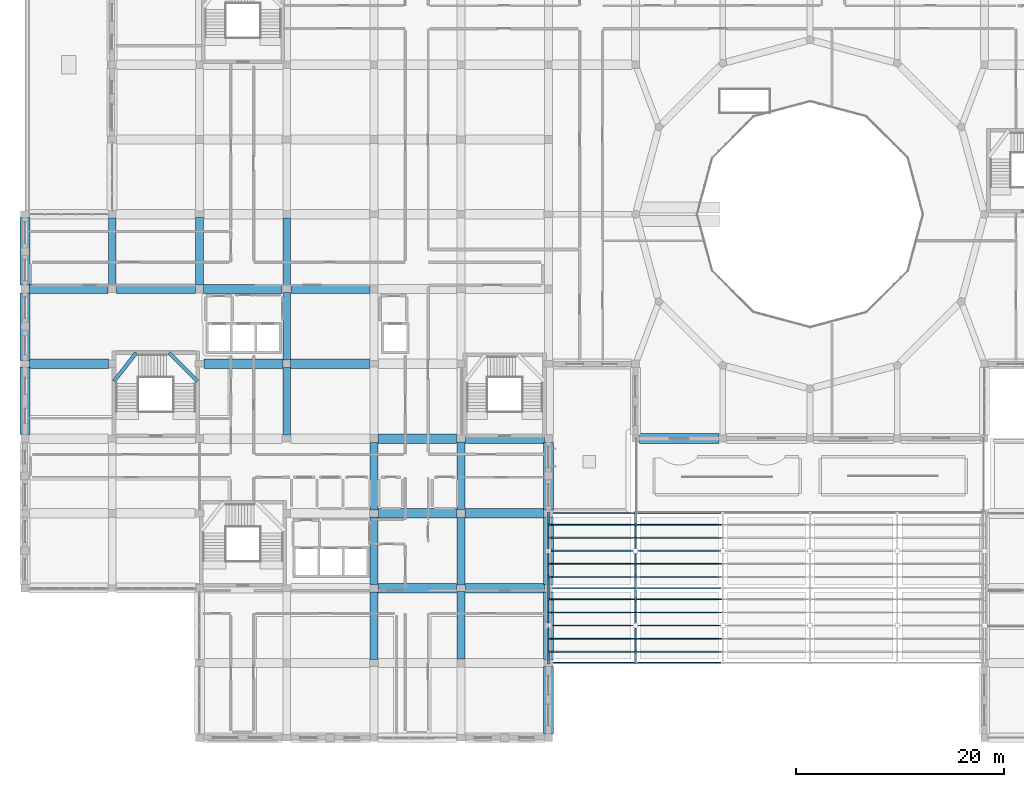
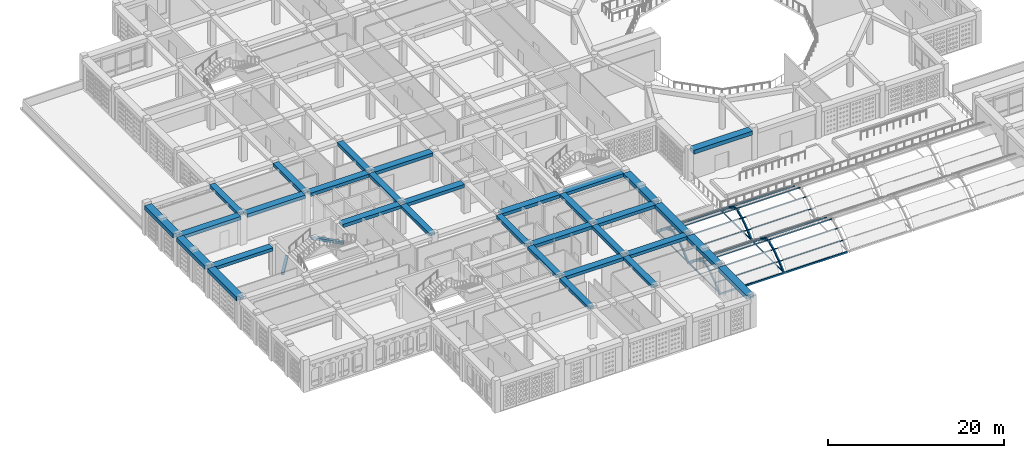
# One storey, part 8 of 100: 64 beams, 24 members.
"""IFC4 building model written with IfcOpenShell, lengths in metres."""

import ifcopenshell
import ifcopenshell.guid

model = None  # the IFC model being written
_history = None  # IfcOwnerHistory: only IFC2X3 demands one
_inside = {}  # id of a spatial element -> (the spatial element, [elements in it])
_under = {}  # id of a project, library or spatial element -> (it, [spatial elements below it])
_declared = {}  # id of a project -> (the project, [libraries it declares])
_typed = {}  # id of a type object -> (the type object, [elements of that type])
_made_of = {}  # id of a material, layer set ... -> (it, [elements and type objects made of it])


def new_model(schema):
    """Start an empty IFC model of exactly this schema.

    Asked for "IFC4X3", IfcOpenShell would pick the latest addendum, in which some entities
    have other attributes; the version numbers below select the first issue.
    IFC2X3 requires an IfcOwnerHistory on every rooted entity: one is made here for all.
    """
    global model, _history
    if schema == "IFC4X3":
        model = ifcopenshell.file(schema_version=(4, 3, 0, 0))
    else:
        model = ifcopenshell.file(schema=schema)
    _inside.clear()
    _under.clear()
    _declared.clear()
    _typed.clear()
    _made_of.clear()
    _history = None
    if model.schema == "IFC2X3":
        org = make("IfcOrganization", Name="unknown")
        user = make(
            "IfcPersonAndOrganization",
            ThePerson=make("IfcPerson", FamilyName="unknown"),
            TheOrganization=org,
        )
        app = make(
            "IfcApplication",
            ApplicationDeveloper=org,
            Version="unknown",
            ApplicationFullName="unknown",
            ApplicationIdentifier="unknown",
        )
        _history = make(
            "IfcOwnerHistory",
            OwningUser=user,
            OwningApplication=app,
            ChangeAction="ADDED",
            CreationDate=0,
        )
    return model


def make(cls, **values):
    """One entity of the class cls with the attributes given. An attribute that is None is left unset."""
    return model.create_entity(
        cls, **{name: value for name, value in values.items() if value is not None}
    )


def rooted(cls, **values):
    """An entity with a GlobalId (a new one), such as an element, a storey or a relation."""
    return make(cls, GlobalId=ifcopenshell.guid.new(), OwnerHistory=_history, **values)


def si_unit(unit_type, name, prefix=None):
    """IfcSIUnit, for example si_unit("LENGTHUNIT", "METRE", prefix="MILLI")."""
    return make("IfcSIUnit", UnitType=unit_type, Prefix=prefix, Name=name)


def derived_unit(unit_type, elements):
    """IfcDerivedUnit: a product of units, each with its exponent."""
    return make(
        "IfcDerivedUnit",
        Elements=[
            make("IfcDerivedUnitElement", Unit=unit, Exponent=power)
            for unit, power in elements
        ],
        UnitType=unit_type,
    )


def assignment(units):
    """IfcUnitAssignment: the units of a project."""
    return None if units is None else make("IfcUnitAssignment", Units=units)


def point(xyz):
    """IfcCartesianPoint."""
    return None if xyz is None else make("IfcCartesianPoint", Coordinates=xyz)


def direction(xyz):
    """IfcDirection."""
    return None if xyz is None else make("IfcDirection", DirectionRatios=xyz)


def frame(location, z_axis=None, x_axis=None):
    """IfcAxis2Placement3D, a coordinate frame: its origin and axes. An axis left out is left unset."""
    return make(
        "IfcAxis2Placement3D",
        Location=point(location),
        Axis=direction(z_axis),
        RefDirection=direction(x_axis),
    )


def frame_2d(location, x_axis=None):
    """IfcAxis2Placement2D, a coordinate frame in the plane: its origin and x axis."""
    return make(
        "IfcAxis2Placement2D", Location=point(location), RefDirection=direction(x_axis)
    )


def origin():
    """The frame at (0, 0, 0) with its axes left unset."""
    return frame((0.0, 0.0, 0.0))


def origin_2d():
    """The frame at (0, 0) in the plane with its x axis left unset."""
    return frame_2d((0.0, 0.0))


def place(relative_to, where):
    """IfcLocalPlacement: puts the frame where relative to a parent placement (None: the world)."""
    return make(
        "IfcLocalPlacement", PlacementRelTo=relative_to, RelativePlacement=where
    )


def context(
    kind, dimensions, precision=None, world=None, true_north=None, identifier=None
):
    """IfcGeometricRepresentationContext, for example the 3D "Model" context."""
    return make(
        "IfcGeometricRepresentationContext",
        ContextIdentifier=identifier,
        ContextType=kind,
        CoordinateSpaceDimension=dimensions,
        Precision=precision,
        WorldCoordinateSystem=world,
        TrueNorth=true_north,
    )


def subcontext(parent, identifier, kind, view, scale=None):
    """IfcGeometricRepresentationSubContext, for example "Body" below "Model"."""
    return make(
        "IfcGeometricRepresentationSubContext",
        ContextIdentifier=identifier,
        ContextType=kind,
        ParentContext=parent,
        TargetScale=scale,
        TargetView=view,
    )


def project(units=None, contexts=None):
    """IfcProject with its units and contexts."""
    return rooted(
        "IfcProject",
        Name="project",
        RepresentationContexts=contexts,
        UnitsInContext=assignment(units),
    )


def spatial(cls, under=None, at=None, **own):
    """A site, building, storey or space (cls), placed at a placement, below another one or the project."""
    s = rooted(cls, ObjectPlacement=at, **own)
    if under is not None:
        _under.setdefault(under.id(), (under, []))[1].append(s)
    return s


def profile(cls, at=None, kind="AREA", **sizes):
    """A parametric profile (cls). Its sizes go by their IFC names, for example OverallWidth=200.0."""
    return make(cls, ProfileType=kind, Position=at, **sizes)


def rectangle(**sizes):
    """IfcRectangleProfileDef."""
    return profile("IfcRectangleProfileDef", **sizes)


def hollow_rectangle(**sizes):
    """IfcRectangleHollowProfileDef."""
    return profile("IfcRectangleHollowProfileDef", **sizes)


def hollow_circle(**sizes):
    """IfcCircleHollowProfileDef."""
    return profile("IfcCircleHollowProfileDef", **sizes)


def i_section(**sizes):
    """IfcIShapeProfileDef."""
    return profile("IfcIShapeProfileDef", **sizes)


def extrude(swept, where, along, depth):
    """IfcExtrudedAreaSolid: the profile swept, set in the frame where, extruded along a direction by depth."""
    return make(
        "IfcExtrudedAreaSolid",
        SweptArea=swept,
        Position=where,
        ExtrudedDirection=direction(along),
        Depth=depth,
    )


def shape(context_of_items, identifier, shape_type, items):
    """IfcShapeRepresentation: the items that make up one representation, for example the "Body"."""
    return make(
        "IfcShapeRepresentation",
        ContextOfItems=context_of_items,
        RepresentationIdentifier=identifier,
        RepresentationType=shape_type,
        Items=items,
    )


def material(Name=None, Category=None):
    """IfcMaterial."""
    return make("IfcMaterial", Name=Name, Category=Category)


def material_profile(
    of_material, cross_section, Name=None, Category=None, Priority=None
):
    """IfcMaterialProfile: a cross section and its material."""
    return make(
        "IfcMaterialProfile",
        Name=Name,
        Material=of_material,
        Profile=cross_section,
        Priority=Priority,
        Category=Category,
    )


def profile_set(profiles, Name=None, composite=None):
    """IfcMaterialProfileSet."""
    return make(
        "IfcMaterialProfileSet",
        Name=Name,
        MaterialProfiles=profiles,
        CompositeProfile=composite,
    )


def made_of(thing, what):
    """Note that an element or type object is made of a material, layer set ...; save() writes the relation."""
    if what is not None:
        _made_of.setdefault(what.id(), (what, []))[1].append(thing)
    return thing


def type_object(cls, material=None, **own):
    """A type object (cls), such as IfcWallType, which elements share."""
    return made_of(rooted(cls, **own), material)


def element(
    cls,
    number,
    at=None,
    inside=None,
    cuts=None,
    type_object=None,
    material=None,
    context=None,
    identifier="Body",
    shape_type=None,
    held_by="IfcProductDefinitionShape",
    body=None,
    shapes=None,
    **own,
):
    """One element of the class cls, such as IfcWall. Its Tag is "e" and its number.

    at: its placement. inside: the storey or other place that contains it. cuts: it is an
    opening in that element (IfcRelVoidsElement). A single representation is given by context,
    identifier, shape_type and body (its items); several are given by shapes. held_by: the class
    of the entity that holds the representations. save() writes the other relations.
    """
    e = rooted(cls, Tag="e%d" % number, ObjectPlacement=at, **own)
    if body is not None:
        shapes = [shape(context, identifier, shape_type, body)]
    if shapes is not None:
        e.Representation = make(held_by, Representations=shapes)
    if inside is not None:
        _inside.setdefault(inside.id(), (inside, []))[1].append(e)
    if cuts is not None:
        rooted(
            "IfcRelVoidsElement", RelatingBuildingElement=cuts, RelatedOpeningElement=e
        )
    if type_object is not None:
        _typed.setdefault(type_object.id(), (type_object, []))[1].append(e)
    return made_of(e, material)


def aggregate(whole, parts):
    """IfcRelAggregates: a whole, such as a stair, and the parts it consists of."""
    return rooted("IfcRelAggregates", RelatingObject=whole, RelatedObjects=parts)


def save(model, path):
    """Write the relations noted so far, then the file.

    IfcRelAggregates (storeys below a building ...), IfcRelContainedInSpatialStructure (elements
    in a storey), IfcRelDefinesByType, IfcRelAssociatesMaterial and IfcRelDeclares: one each for
    every whole, place, type object, material and project.
    """
    for whole, parts in _under.values():
        aggregate(whole, parts)
    for where, things in _inside.values():
        rooted(
            "IfcRelContainedInSpatialStructure",
            RelatedElements=things,
            RelatingStructure=where,
        )
    for kind, things in _typed.values():
        rooted("IfcRelDefinesByType", RelatedObjects=things, RelatingType=kind)
    for what, things in _made_of.values():
        rooted("IfcRelAssociatesMaterial", RelatedObjects=things, RelatingMaterial=what)
    for by, libraries in _declared.values():
        rooted("IfcRelDeclares", RelatingContext=by, RelatedDefinitions=libraries)
    model.write(path)


model = new_model("IFC4")

# Units and contexts
model_context = context("Model", 3, precision=1e-05, world=origin(), true_north=direction((0.0, 1.0)))
body_context = subcontext(model_context, "Body", "Model", "MODEL_VIEW")
ifc_project = project(units=[si_unit("LENGTHUNIT", "METRE"), si_unit("AREAUNIT", "SQUARE_METRE"), si_unit("VOLUMEUNIT", "CUBIC_METRE"), si_unit("PLANEANGLEUNIT", "RADIAN"), si_unit("MASSUNIT", "GRAM", prefix="KILO"), derived_unit("THERMALTRANSMITTANCEUNIT", [(si_unit("POWERUNIT", "WATT"), 1), (si_unit("LENGTHUNIT", "METRE"), -2), (si_unit("THERMODYNAMICTEMPERATUREUNIT", "KELVIN"), -1)])], contexts=[model_context])

# Site, building, storey
site_placement = place(None, origin())
site = spatial("IfcSite", under=ifc_project, at=site_placement, CompositionType="ELEMENT")
building_placement = place(site_placement, origin())
building = spatial("IfcBuilding", under=site, at=building_placement, Name="Veybourne Emporium", CompositionType="ELEMENT")
storey_placement = place(building_placement, frame((0.0, 0.0, 14.39990234375)))
storey = spatial("IfcBuildingStorey", under=building, at=storey_placement, Name="L03", CompositionType="ELEMENT", Elevation=14.39990234375)

# Beams
ifc_material_1 = material(Name="Concrete C32/40", Category="concrete")
ifc_material_profile_1 = material_profile(ifc_material_1, rectangle(XDim=0.35009765625, YDim=0.35009765625, at=origin_2d()), Name="RC 350x350")
ifc_profile_set_1 = profile_set([ifc_material_profile_1], Name="Concrete C32/40")
beam_type_1 = type_object("IfcBeamType", Name="LandingBeam_LB-01", PredefinedType="BEAM", material=ifc_profile_set_1)
beam_1_placement = place(storey_placement, frame((8.574951171875, 34.320068359375, 1.125), z_axis=(0.616136975881, 0.787639020714, 0.0), x_axis=(-0.787639020714, 0.616136975881, 0.0)))
element("IfcBeam", 1, at=beam_1_placement, inside=storey, type_object=beam_type_1, Name="L03 ST-02 landing 1 support beam", PredefinedType="BEAM", context=body_context, shape_type="SweptSolid", body=[
    extrude(rectangle(XDim=0.35009765625, YDim=0.35009765625, at=origin_2d()), origin(), (0.0, 0.0, 1.0), 3.49755859375),
])
beam_2_placement = place(storey_placement, frame((13.8701171875, 37.074951171875, 2.625), z_axis=(0.707106781187, -0.707106781187, 0.0), x_axis=(0.707106781187, 0.707106781187, 0.0)))
element("IfcBeam", 2, at=beam_2_placement, inside=storey, type_object=beam_type_1, Name="L03 ST-02 landing 2 support beam", PredefinedType="BEAM", context=body_context, shape_type="SweptSolid", body=[
    extrude(rectangle(XDim=0.35009765625, YDim=0.35009765625, at=origin_2d()), origin(), (0.0, 0.0, 1.0), 3.89599609375),
])
ifc_material_profile_2 = material_profile(ifc_material_1, rectangle(XDim=0.89990234375, YDim=0.449951171875, at=origin_2d()), Name="RC 900x450")
ifc_profile_set_2 = profile_set([ifc_material_profile_2], Name="Concrete C32/40")
beam_type_2 = type_object("IfcBeamType", Name="RCBeam_BB-03", PredefinedType="BEAM", material=ifc_profile_set_2)
beam_3_placement = place(storey_placement, frame((0.425048828125, 36.0, 3.955078125), z_axis=(1.0, 0.0, 0.0), x_axis=(0.0, 1.0, 0.0)))
element("IfcBeam", 3, at=beam_3_placement, inside=storey, type_object=beam_type_2, Name="L03 X-grid beam BB-03 (0,5)", PredefinedType="BEAM", context=body_context, shape_type="SweptSolid", body=[
    extrude(rectangle(XDim=0.89990234375, YDim=0.449951171875, at=origin_2d()), origin(), (0.0, 0.0, 1.0), 7.599853515625),
])
for number, where, z_axis, x_axis, name in (
    (4, (0.375, 43.199951171875, 3.955078125), (1.0, 0.0, 0.0), (0.0, 1.0, 0.0), "L03 X-grid beam BB-03 (0,6)"),
    (5, (8.824951171875, 43.199951171875, 3.955078125), (1.0, 0.0, 0.0), (0.0, 1.0, 0.0), "L03 X-grid beam BB-03 (1,6)"),
):
    element("IfcBeam", number, at=place(storey_placement, frame(where, z_axis=z_axis, x_axis=x_axis)), inside=storey, type_object=beam_type_2, Name=name, PredefinedType="BEAM", context=body_context, shape_type="SweptSolid", body=[
        extrude(rectangle(XDim=0.89990234375, YDim=0.449951171875, at=origin_2d()), origin(), (0.0, 0.0, 1.0), 7.60009765625),
    ])
for number, where, z_axis, x_axis, name in (
    (6, (17.22509765625, 36.0, 3.955078125), (1.0, 0.0, 0.0), (0.0, 1.0, 0.0), "L03 X-grid beam BB-03 (2,5)"),
    (7, (17.175048828125, 43.199951171875, 3.955078125), (1.0, 0.0, 0.0), (0.0, 1.0, 0.0), "L03 X-grid beam BB-03 (2,6)"),
):
    element("IfcBeam", number, at=place(storey_placement, frame(where, z_axis=z_axis, x_axis=x_axis)), inside=storey, type_object=beam_type_2, Name=name, PredefinedType="BEAM", context=body_context, shape_type="SweptSolid", body=[
        extrude(rectangle(XDim=0.89990234375, YDim=0.449951171875, at=origin_2d()), origin(), (0.0, 0.0, 1.0), 7.599853515625),
    ])
for number, where, z_axis, x_axis, name in (
    (8, (25.574951171875, 36.0, 3.955078125), (1.0, 0.0, 0.0), (0.0, 1.0, 0.0), "L03 X-grid beam BB-03 (3,5)"),
    (9, (25.625, 43.199951171875, 3.955078125), (1.0, 0.0, 0.0), (0.0, 1.0, 0.0), "L03 X-grid beam BB-03 (3,6)"),
):
    element("IfcBeam", number, at=place(storey_placement, frame(where, z_axis=z_axis, x_axis=x_axis)), inside=storey, type_object=beam_type_2, Name=name, PredefinedType="BEAM", context=body_context, shape_type="SweptSolid", body=[
        extrude(rectangle(XDim=0.89990234375, YDim=0.449951171875, at=origin_2d()), origin(), (0.0, 0.0, 1.0), 7.60009765625),
    ])
beam_4_placement = place(storey_placement, frame((33.97509765625, 14.39990234375, 3.955078125), z_axis=(1.0, 0.0, 0.0), x_axis=(0.0, 1.0, 0.0)))
element("IfcBeam", 10, at=beam_4_placement, inside=storey, type_object=beam_type_2, Name="L03 X-grid beam BB-03 (4,2)", PredefinedType="BEAM", context=body_context, shape_type="SweptSolid", body=[
    extrude(rectangle(XDim=0.89990234375, YDim=0.449951171875, at=origin_2d()), origin(), (0.0, 0.0, 1.0), 7.599853515625),
])
beam_5_placement = place(storey_placement, frame((34.02490234375, 21.60009765625, 3.955078125), z_axis=(1.0, 0.0, 0.0), x_axis=(0.0, 1.0, 0.0)))
element("IfcBeam", 11, at=beam_5_placement, inside=storey, type_object=beam_type_2, Name="L03 X-grid beam BB-03 (4,3)", PredefinedType="BEAM", context=body_context, shape_type="SweptSolid", body=[
    extrude(rectangle(XDim=0.89990234375, YDim=0.449951171875, at=origin_2d()), origin(), (0.0, 0.0, 1.0), 7.60009765625),
])
for number, where, z_axis, x_axis, name in (
    (12, (33.97509765625, 28.800048828125, 3.955078125), (1.0, 0.0, 0.0), (0.0, 1.0, 0.0), "L03 X-grid beam BB-03 (4,4)"),
    (13, (42.425048828125, 14.39990234375, 3.955078125), (1.0, 0.0, 0.0), (0.0, 1.0, 0.0), "L03 X-grid beam BB-03 (5,2)"),
):
    element("IfcBeam", number, at=place(storey_placement, frame(where, z_axis=z_axis, x_axis=x_axis)), inside=storey, type_object=beam_type_2, Name=name, PredefinedType="BEAM", context=body_context, shape_type="SweptSolid", body=[
        extrude(rectangle(XDim=0.89990234375, YDim=0.449951171875, at=origin_2d()), origin(), (0.0, 0.0, 1.0), 7.599853515625),
    ])
beam_6_placement = place(storey_placement, frame((42.375, 21.60009765625, 3.955078125), z_axis=(1.0, 0.0, 0.0), x_axis=(0.0, 1.0, 0.0)))
element("IfcBeam", 14, at=beam_6_placement, inside=storey, type_object=beam_type_2, Name="L03 X-grid beam BB-03 (5,3)", PredefinedType="BEAM", context=body_context, shape_type="SweptSolid", body=[
    extrude(rectangle(XDim=0.89990234375, YDim=0.449951171875, at=origin_2d()), origin(), (0.0, 0.0, 1.0), 7.60009765625),
])
beam_7_placement = place(storey_placement, frame((42.425048828125, 28.800048828125, 3.955078125), z_axis=(1.0, 0.0, 0.0), x_axis=(0.0, 1.0, 0.0)))
element("IfcBeam", 15, at=beam_7_placement, inside=storey, type_object=beam_type_2, Name="L03 X-grid beam BB-03 (5,4)", PredefinedType="BEAM", context=body_context, shape_type="SweptSolid", body=[
    extrude(rectangle(XDim=0.89990234375, YDim=0.449951171875, at=origin_2d()), origin(), (0.0, 0.0, 1.0), 7.599853515625),
])
ifc_material_profile_3 = material_profile(ifc_material_1, rectangle(XDim=0.75, YDim=0.449951171875, at=origin_2d()), Name="RC 750x450")
ifc_profile_set_3 = profile_set([ifc_material_profile_3], Name="Concrete C32/40")
beam_type_3 = type_object("IfcBeamType", Name="RCBeam_BB-04", PredefinedType="BEAM", material=ifc_profile_set_3)
for number, where, z_axis, x_axis, name in (
    (16, (8.39990234375, 43.52490234375, 3.955078125), (0.0, 1.0, 0.0), (-1.0, 0.0, 0.0), "L03 Y-grid beam BB-04 (1,6)"),
    (17, (16.800048828125, 43.574951171875, 3.955078125), (0.0, 1.0, 0.0), (-1.0, 0.0, 0.0), "L03 Y-grid beam BB-04 (2,6)"),
    (18, (25.199951171875, 29.125, 3.955078125), (0.0, 1.0, 0.0), (-1.0, 0.0, 0.0), "L03 Y-grid beam BB-04 (3,4)"),
    (19, (25.199951171875, 36.375, 3.955078125), (0.0, 1.0, 0.0), (-1.0, 0.0, 0.0), "L03 Y-grid beam BB-04 (3,5)"),
    (20, (25.199951171875, 43.52490234375, 3.955078125), (0.0, 1.0, 0.0), (-1.0, 0.0, 0.0), "L03 Y-grid beam BB-04 (3,6)"),
    (21, (33.60009765625, 7.52490234375, 3.955078125), (0.0, 1.0, 0.0), (-1.0, 0.0, 0.0), "L03 Y-grid beam BB-04 (4,1)"),
    (22, (33.60009765625, 14.77490234375, 3.955078125), (0.0, 1.0, 0.0), (-1.0, 0.0, 0.0), "L03 Y-grid beam BB-04 (4,2)"),
    (23, (33.60009765625, 21.925048828125, 3.955078125), (0.0, 1.0, 0.0), (-1.0, 0.0, 0.0), "L03 Y-grid beam BB-04 (4,3)"),
    (24, (42.0, 7.574951171875, 3.955078125), (0.0, 1.0, 0.0), (-1.0, 0.0, 0.0), "L03 Y-grid beam BB-04 (5,1)"),
    (25, (42.0, 14.72509765625, 3.955078125), (0.0, 1.0, 0.0), (-1.0, 0.0, 0.0), "L03 Y-grid beam BB-04 (5,2)"),
    (26, (42.0, 21.97509765625, 3.955078125), (0.0, 1.0, 0.0), (-1.0, 0.0, 0.0), "L03 Y-grid beam BB-04 (5,3)"),
):
    element("IfcBeam", number, at=place(storey_placement, frame(where, z_axis=z_axis, x_axis=x_axis)), inside=storey, type_object=beam_type_3, Name=name, PredefinedType="BEAM", context=body_context, shape_type="SweptSolid", body=[
        extrude(rectangle(XDim=0.75, YDim=0.449951171875, at=origin_2d()), origin(), (0.0, 0.0, 1.0), 6.5),
    ])
ifc_material_profile_4 = material_profile(ifc_material_1, rectangle(XDim=0.949951171875, YDim=0.550048828125, at=origin_2d()), Name="RC 950x550")
ifc_profile_set_4 = profile_set([ifc_material_profile_4], Name="Concrete C32/40")
beam_type_4 = type_object("IfcBeamType", Name="RCBeam_EB-01", PredefinedType="SPANDREL", material=ifc_profile_set_4)
beam_8_placement = place(storey_placement, frame((59.14990234375, 28.800048828125, 3.905029296875), z_axis=(1.0, 0.0, 0.0), x_axis=(0.0, 1.0, 0.0)))
element("IfcBeam", 27, at=beam_8_placement, inside=storey, type_object=beam_type_4, Name="L03 X-grid beam EB-01 (7,4)", PredefinedType="SPANDREL", context=body_context, shape_type="SweptSolid", body=[
    extrude(rectangle(XDim=0.949951171875, YDim=0.550048828125, at=origin_2d()), origin(), (0.0, 0.0, 1.0), 7.7001953125),
])
for number, where, z_axis, x_axis, name in (
    (28, (0.0, 29.175048828125, 3.905029296875), (0.0, 1.0, 0.0), (-1.0, 0.0, 0.0), "L03 Y-grid beam EB-01 (0,4)"),
    (29, (0.0, 36.324951171875, 3.905029296875), (0.0, 1.0, 0.0), (-1.0, 0.0, 0.0), "L03 Y-grid beam EB-01 (0,5)"),
    (30, (0.0, 43.574951171875, 3.905029296875), (0.0, 1.0, 0.0), (-1.0, 0.0, 0.0), "L03 Y-grid beam EB-01 (0,6)"),
    (31, (50.39990234375, 0.375, 3.905029296875), (0.0, 1.0, 0.0), (-1.0, 0.0, 0.0), "L03 Y-grid beam EB-01 (6,0)"),
    (32, (50.39990234375, 7.52490234375, 3.905029296875), (0.0, 1.0, 0.0), (-1.0, 0.0, 0.0), "L03 Y-grid beam EB-01 (6,1)"),
    (33, (50.39990234375, 14.77490234375, 3.905029296875), (0.0, 1.0, 0.0), (-1.0, 0.0, 0.0), "L03 Y-grid beam EB-01 (6,2)"),
    (34, (50.39990234375, 21.925048828125, 3.905029296875), (0.0, 1.0, 0.0), (-1.0, 0.0, 0.0), "L03 Y-grid beam EB-01 (6,3)"),
):
    element("IfcBeam", number, at=place(storey_placement, frame(where, z_axis=z_axis, x_axis=x_axis)), inside=storey, type_object=beam_type_4, Name=name, PredefinedType="SPANDREL", context=body_context, shape_type="SweptSolid", body=[
        extrude(rectangle(XDim=0.949951171875, YDim=0.550048828125, at=origin_2d()), origin(), (0.0, 0.0, 1.0), 6.5),
    ])
ifc_material_2 = material(Name="Steel S355", Category="steel")
ifc_material_profile_5 = material_profile(ifc_material_2, i_section(OverallWidth=0.17138671875, OverallDepth=0.35498046875, WebThickness=0.00732421875, FlangeThickness=0.011474609375, FilletRadius=0.01025390625, at=origin_2d()), Name="UKB 356x171x51")
ifc_profile_set_5 = profile_set([ifc_material_profile_5], Name="Steel S355")
beam_type_5 = type_object("IfcBeamType", Name="SteelBeam_AR-01", PredefinedType="BEAM", material=ifc_profile_set_5)
beam_9_placement = place(storey_placement, frame((50.39990234375, 7.199951171875, 0.02001953125), z_axis=(0.0, 0.749966467032, 0.661475848635), x_axis=(-1.0, 0.0, 0.0)))
element("IfcBeam", 35, at=beam_9_placement, inside=storey, type_object=beam_type_5, Name="Arcade barrel-vault arch chord AR-01 VA.0.1", PredefinedType="BEAM", context=body_context, shape_type="SweptSolid", body=[
    extrude(i_section(OverallWidth=0.17138671875, OverallDepth=0.35498046875, WebThickness=0.00732421875, FlangeThickness=0.011474609375, FilletRadius=0.01025390625, at=origin_2d()), origin(), (0.0, 0.0, 1.0), 1.440185546875),
])
beam_10_placement = place(storey_placement, frame((50.39990234375, 13.320068359375, 0.97265625), z_axis=(0.0, 0.749892278371, -0.661559952567), x_axis=(-1.0, 0.0, 0.0)))
element("IfcBeam", 36, at=beam_10_placement, inside=storey, type_object=beam_type_5, Name="Arcade barrel-vault arch chord AR-01 VA.0.6", PredefinedType="BEAM", context=body_context, shape_type="SweptSolid", body=[
    extrude(i_section(OverallWidth=0.17138671875, OverallDepth=0.35498046875, WebThickness=0.00732421875, FlangeThickness=0.011474609375, FilletRadius=0.01025390625, at=origin_2d()), origin(), (0.0, 0.0, 1.0), 1.43994140625),
])
beam_11_placement = place(storey_placement, frame((58.800048828125, 7.199951171875, 0.02001953125), z_axis=(0.0, 0.749966467032, 0.661475848635), x_axis=(-1.0, 0.0, 0.0)))
element("IfcBeam", 37, at=beam_11_placement, inside=storey, type_object=beam_type_5, Name="Arcade barrel-vault arch chord AR-01 VA.1.1", PredefinedType="BEAM", context=body_context, shape_type="SweptSolid", body=[
    extrude(i_section(OverallWidth=0.17138671875, OverallDepth=0.35498046875, WebThickness=0.00732421875, FlangeThickness=0.011474609375, FilletRadius=0.01025390625, at=origin_2d()), origin(), (0.0, 0.0, 1.0), 1.440185546875),
])
beam_12_placement = place(storey_placement, frame((58.800048828125, 13.320068359375, 0.97265625), z_axis=(0.0, 0.749892278371, -0.661559952567), x_axis=(-1.0, 0.0, 0.0)))
element("IfcBeam", 38, at=beam_12_placement, inside=storey, type_object=beam_type_5, Name="Arcade barrel-vault arch chord AR-01 VA.1.6", PredefinedType="BEAM", context=body_context, shape_type="SweptSolid", body=[
    extrude(i_section(OverallWidth=0.17138671875, OverallDepth=0.35498046875, WebThickness=0.00732421875, FlangeThickness=0.011474609375, FilletRadius=0.01025390625, at=origin_2d()), origin(), (0.0, 0.0, 1.0), 1.43994140625),
])
for number, where, z_axis, x_axis, name in (
    (39, (50.39990234375, 14.39990234375, 0.02001953125), (0.0, 0.749966467032, 0.661475848635), (-1.0, 0.0, 0.0), "Arcade barrel-vault arch chord AR-01 VB.0.1"),
    (40, (50.39990234375, 20.52001953125, 0.97265625), (0.0, 0.749966467032, -0.661475848635), (-1.0, 0.0, 0.0), "Arcade barrel-vault arch chord AR-01 VB.0.6"),
    (41, (58.800048828125, 14.39990234375, 0.02001953125), (0.0, 0.749966467032, 0.661475848635), (-1.0, 0.0, 0.0), "Arcade barrel-vault arch chord AR-01 VB.1.1"),
    (42, (58.800048828125, 20.52001953125, 0.97265625), (0.0, 0.749966467032, -0.661475848635), (-1.0, 0.0, 0.0), "Arcade barrel-vault arch chord AR-01 VB.1.6"),
):
    element("IfcBeam", number, at=place(storey_placement, frame(where, z_axis=z_axis, x_axis=x_axis)), inside=storey, type_object=beam_type_5, Name=name, PredefinedType="BEAM", context=body_context, shape_type="SweptSolid", body=[
        extrude(i_section(OverallWidth=0.17138671875, OverallDepth=0.35498046875, WebThickness=0.00732421875, FlangeThickness=0.011474609375, FilletRadius=0.01025390625, at=origin_2d()), origin(), (0.0, 0.0, 1.0), 1.440185546875),
    ])
ifc_material_profile_6 = material_profile(ifc_material_2, i_section(OverallWidth=0.1650390625, OverallDepth=0.303466796875, WebThickness=0.006103515625, FlangeThickness=0.01025390625, FilletRadius=0.0087890625, at=origin_2d()), Name="UKB 305x165x40")
ifc_profile_set_6 = profile_set([ifc_material_profile_6], Name="Steel S355")
beam_type_6 = type_object("IfcBeamType", Name="SteelBeam_AR-02", PredefinedType="BEAM", material=ifc_profile_set_6)
beam_13_placement = place(storey_placement, frame((50.39990234375, 8.280029296875, 0.998291015625), z_axis=(0.0, 0.813690857811, 0.581297847849), x_axis=(-1.0, 0.0, 0.0)))
element("IfcBeam", 43, at=beam_13_placement, inside=storey, type_object=beam_type_6, Name="Arcade barrel-vault arch chord AR-02 VA.0.2", PredefinedType="BEAM", context=body_context, shape_type="SweptSolid", body=[
    extrude(i_section(OverallWidth=0.1650390625, OverallDepth=0.303466796875, WebThickness=0.006103515625, FlangeThickness=0.01025390625, FilletRadius=0.0087890625, at=origin_2d()), origin(), (0.0, 0.0, 1.0), 1.548583984375),
])
for number, where, z_axis, x_axis, name in (
    (44, (50.39990234375, 9.5400390625, 1.8984375), (0.0, 0.916479008247, 0.400082775738), (-1.0, 0.0, 0.0), "Arcade barrel-vault arch chord AR-02 VA.0.3"),
    (45, (50.39990234375, 10.800048828125, 2.448486328125), (0.0, 0.916479008247, -0.400082775738), (-1.0, 0.0, 0.0), "Arcade barrel-vault arch chord AR-02 VA.0.4"),
):
    element("IfcBeam", number, at=place(storey_placement, frame(where, z_axis=z_axis, x_axis=x_axis)), inside=storey, type_object=beam_type_6, Name=name, PredefinedType="BEAM", context=body_context, shape_type="SweptSolid", body=[
        extrude(i_section(OverallWidth=0.1650390625, OverallDepth=0.303466796875, WebThickness=0.006103515625, FlangeThickness=0.01025390625, FilletRadius=0.0087890625, at=origin_2d()), origin(), (0.0, 0.0, 1.0), 1.374755859375),
    ])
for number, where, z_axis, x_axis, name in (
    (46, (50.39990234375, 12.06005859375, 1.8984375), (0.0, 0.813690857811, -0.581297847849), (-1.0, 0.0, 0.0), "Arcade barrel-vault arch chord AR-02 VA.0.5"),
    (47, (58.800048828125, 8.280029296875, 0.998291015625), (0.0, 0.813690857811, 0.581297847849), (-1.0, 0.0, 0.0), "Arcade barrel-vault arch chord AR-02 VA.1.2"),
):
    element("IfcBeam", number, at=place(storey_placement, frame(where, z_axis=z_axis, x_axis=x_axis)), inside=storey, type_object=beam_type_6, Name=name, PredefinedType="BEAM", context=body_context, shape_type="SweptSolid", body=[
        extrude(i_section(OverallWidth=0.1650390625, OverallDepth=0.303466796875, WebThickness=0.006103515625, FlangeThickness=0.01025390625, FilletRadius=0.0087890625, at=origin_2d()), origin(), (0.0, 0.0, 1.0), 1.548583984375),
    ])
for number, where, z_axis, x_axis, name in (
    (48, (58.800048828125, 9.5400390625, 1.8984375), (0.0, 0.916479008247, 0.400082775738), (-1.0, 0.0, 0.0), "Arcade barrel-vault arch chord AR-02 VA.1.3"),
    (49, (58.800048828125, 10.800048828125, 2.448486328125), (0.0, 0.916479008247, -0.400082775738), (-1.0, 0.0, 0.0), "Arcade barrel-vault arch chord AR-02 VA.1.4"),
):
    element("IfcBeam", number, at=place(storey_placement, frame(where, z_axis=z_axis, x_axis=x_axis)), inside=storey, type_object=beam_type_6, Name=name, PredefinedType="BEAM", context=body_context, shape_type="SweptSolid", body=[
        extrude(i_section(OverallWidth=0.1650390625, OverallDepth=0.303466796875, WebThickness=0.006103515625, FlangeThickness=0.01025390625, FilletRadius=0.0087890625, at=origin_2d()), origin(), (0.0, 0.0, 1.0), 1.374755859375),
    ])
for number, where, z_axis, x_axis, name in (
    (50, (58.800048828125, 12.06005859375, 1.8984375), (0.0, 0.813690857811, -0.581297847849), (-1.0, 0.0, 0.0), "Arcade barrel-vault arch chord AR-02 VA.1.5"),
    (51, (50.39990234375, 15.47998046875, 0.998291015625), (0.0, 0.813690857811, 0.581297847849), (-1.0, 0.0, 0.0), "Arcade barrel-vault arch chord AR-02 VB.0.2"),
):
    element("IfcBeam", number, at=place(storey_placement, frame(where, z_axis=z_axis, x_axis=x_axis)), inside=storey, type_object=beam_type_6, Name=name, PredefinedType="BEAM", context=body_context, shape_type="SweptSolid", body=[
        extrude(i_section(OverallWidth=0.1650390625, OverallDepth=0.303466796875, WebThickness=0.006103515625, FlangeThickness=0.01025390625, FilletRadius=0.0087890625, at=origin_2d()), origin(), (0.0, 0.0, 1.0), 1.548583984375),
    ])
for number, where, z_axis, x_axis, name in (
    (52, (50.39990234375, 16.739990234375, 1.8984375), (0.0, 0.916479008247, 0.400082775738), (-1.0, 0.0, 0.0), "Arcade barrel-vault arch chord AR-02 VB.0.3"),
    (53, (50.39990234375, 18.0, 2.448486328125), (0.0, 0.916479008247, -0.400082775738), (-1.0, 0.0, 0.0), "Arcade barrel-vault arch chord AR-02 VB.0.4"),
):
    element("IfcBeam", number, at=place(storey_placement, frame(where, z_axis=z_axis, x_axis=x_axis)), inside=storey, type_object=beam_type_6, Name=name, PredefinedType="BEAM", context=body_context, shape_type="SweptSolid", body=[
        extrude(i_section(OverallWidth=0.1650390625, OverallDepth=0.303466796875, WebThickness=0.006103515625, FlangeThickness=0.01025390625, FilletRadius=0.0087890625, at=origin_2d()), origin(), (0.0, 0.0, 1.0), 1.374755859375),
    ])
for number, where, z_axis, x_axis, name in (
    (54, (50.39990234375, 19.260009765625, 1.8984375), (0.0, 0.813690857811, -0.581297847849), (-1.0, 0.0, 0.0), "Arcade barrel-vault arch chord AR-02 VB.0.5"),
    (55, (58.800048828125, 15.47998046875, 0.998291015625), (0.0, 0.813690857811, 0.581297847849), (-1.0, 0.0, 0.0), "Arcade barrel-vault arch chord AR-02 VB.1.2"),
):
    element("IfcBeam", number, at=place(storey_placement, frame(where, z_axis=z_axis, x_axis=x_axis)), inside=storey, type_object=beam_type_6, Name=name, PredefinedType="BEAM", context=body_context, shape_type="SweptSolid", body=[
        extrude(i_section(OverallWidth=0.1650390625, OverallDepth=0.303466796875, WebThickness=0.006103515625, FlangeThickness=0.01025390625, FilletRadius=0.0087890625, at=origin_2d()), origin(), (0.0, 0.0, 1.0), 1.548583984375),
    ])
for number, where, z_axis, x_axis, name in (
    (56, (58.800048828125, 16.739990234375, 1.8984375), (0.0, 0.916479008247, 0.400082775738), (-1.0, 0.0, 0.0), "Arcade barrel-vault arch chord AR-02 VB.1.3"),
    (57, (58.800048828125, 18.0, 2.448486328125), (0.0, 0.916479008247, -0.400082775738), (-1.0, 0.0, 0.0), "Arcade barrel-vault arch chord AR-02 VB.1.4"),
):
    element("IfcBeam", number, at=place(storey_placement, frame(where, z_axis=z_axis, x_axis=x_axis)), inside=storey, type_object=beam_type_6, Name=name, PredefinedType="BEAM", context=body_context, shape_type="SweptSolid", body=[
        extrude(i_section(OverallWidth=0.1650390625, OverallDepth=0.303466796875, WebThickness=0.006103515625, FlangeThickness=0.01025390625, FilletRadius=0.0087890625, at=origin_2d()), origin(), (0.0, 0.0, 1.0), 1.374755859375),
    ])
beam_14_placement = place(storey_placement, frame((58.800048828125, 19.260009765625, 1.8984375), z_axis=(0.0, 0.813690857811, -0.581297847849), x_axis=(-1.0, 0.0, 0.0)))
element("IfcBeam", 58, at=beam_14_placement, inside=storey, type_object=beam_type_6, Name="Arcade barrel-vault arch chord AR-02 VB.1.5", PredefinedType="BEAM", context=body_context, shape_type="SweptSolid", body=[
    extrude(i_section(OverallWidth=0.1650390625, OverallDepth=0.303466796875, WebThickness=0.006103515625, FlangeThickness=0.01025390625, FilletRadius=0.0087890625, at=origin_2d()), origin(), (0.0, 0.0, 1.0), 1.548583984375),
])
ifc_material_profile_7 = material_profile(ifc_material_2, hollow_rectangle(XDim=0.14990234375, YDim=0.25, WallThickness=0.008056640625, InnerFilletRadius=0.011962890625, OuterFilletRadius=0.02001953125, at=origin_2d()), Name="RHS 250x150x8")
ifc_profile_set_7 = profile_set([ifc_material_profile_7], Name="Steel S355")
beam_type_7 = type_object("IfcBeamType", Name="SteelBeam_AR-03", PredefinedType="BEAM", material=ifc_profile_set_7)
for number, where, z_axis, x_axis, name in (
    (59, (50.550048828125, 7.199951171875, 0.125), (1.0, 0.0, 0.0), (0.0, 1.0, 0.0), "Arcade springing edge beam B0.Y7"),
    (60, (50.550048828125, 14.39990234375, 0.125), (1.0, 0.0, 0.0), (0.0, 1.0, 0.0), "Arcade springing edge beam B0.Y14"),
):
    element("IfcBeam", number, at=place(storey_placement, frame(where, z_axis=z_axis, x_axis=x_axis)), inside=storey, type_object=beam_type_7, Name=name, PredefinedType="BEAM", context=body_context, shape_type="SweptSolid", body=[
        extrude(hollow_rectangle(XDim=0.14990234375, YDim=0.25, WallThickness=0.008056640625, InnerFilletRadius=0.011962890625, OuterFilletRadius=0.02001953125, at=origin_2d()), origin(), (0.0, 0.0, 1.0), 8.099853515625),
    ])
for number, where, z_axis, x_axis, name in (
    (61, (58.949951171875, 7.199951171875, 0.125), (1.0, 0.0, 0.0), (0.0, 1.0, 0.0), "Arcade springing edge beam B1.Y7"),
    (62, (58.949951171875, 14.39990234375, 0.125), (1.0, 0.0, 0.0), (0.0, 1.0, 0.0), "Arcade springing edge beam B1.Y14"),
):
    element("IfcBeam", number, at=place(storey_placement, frame(where, z_axis=z_axis, x_axis=x_axis)), inside=storey, type_object=beam_type_7, Name=name, PredefinedType="BEAM", context=body_context, shape_type="SweptSolid", body=[
        extrude(hollow_rectangle(XDim=0.14990234375, YDim=0.25, WallThickness=0.008056640625, InnerFilletRadius=0.011962890625, OuterFilletRadius=0.02001953125, at=origin_2d()), origin(), (0.0, 0.0, 1.0), 8.10009765625),
    ])
beam_15_placement = place(storey_placement, frame((50.550048828125, 21.60009765625, 0.125), z_axis=(1.0, 0.0, 0.0), x_axis=(0.0, 1.0, 0.0)))
element("IfcBeam", 63, at=beam_15_placement, inside=storey, type_object=beam_type_7, Name="Arcade springing edge beam B0.Y22", PredefinedType="BEAM", context=body_context, shape_type="SweptSolid", body=[
    extrude(hollow_rectangle(XDim=0.14990234375, YDim=0.25, WallThickness=0.008056640625, InnerFilletRadius=0.011962890625, OuterFilletRadius=0.02001953125, at=origin_2d()), origin(), (0.0, 0.0, 1.0), 8.099853515625),
])
beam_16_placement = place(storey_placement, frame((58.949951171875, 21.60009765625, 0.125), z_axis=(1.0, 0.0, 0.0), x_axis=(0.0, 1.0, 0.0)))
element("IfcBeam", 64, at=beam_16_placement, inside=storey, type_object=beam_type_7, Name="Arcade springing edge beam B1.Y22", PredefinedType="BEAM", context=body_context, shape_type="SweptSolid", body=[
    extrude(hollow_rectangle(XDim=0.14990234375, YDim=0.25, WallThickness=0.008056640625, InnerFilletRadius=0.011962890625, OuterFilletRadius=0.02001953125, at=origin_2d()), origin(), (0.0, 0.0, 1.0), 8.10009765625),
])

# Members
ifc_material_profile_8 = material_profile(ifc_material_2, hollow_rectangle(XDim=0.080078125, YDim=0.159912109375, WallThickness=0.00634765625, InnerFilletRadius=0.009521484375, OuterFilletRadius=0.015869140625, at=origin_2d()), Name="RHS 160x80x6.3")
ifc_profile_set_8 = profile_set([ifc_material_profile_8], Name="Steel S355")
member_type_1 = type_object("IfcMemberType", Name="SteelMem_AP-01", PredefinedType="PURLIN", material=ifc_profile_set_8)
for number, where, z_axis, x_axis, name in (
    (65, (50.39990234375, 8.280029296875, 1.045166015625), (1.0, 0.0, 0.0), (0.0, 1.0, 0.0), "Arcade vault purlin AP-01 VA.0.1"),
    (66, (50.39990234375, 9.5400390625, 1.945068359375), (1.0, 0.0, 0.0), (0.0, 1.0, 0.0), "Arcade vault purlin AP-01 VA.0.2"),
    (67, (50.39990234375, 10.800048828125, 2.4951171875), (1.0, 0.0, 0.0), (0.0, 1.0, 0.0), "Arcade vault purlin AP-01 VA.0.3"),
    (68, (50.39990234375, 12.06005859375, 1.945068359375), (1.0, 0.0, 0.0), (0.0, 1.0, 0.0), "Arcade vault purlin AP-01 VA.0.4"),
    (69, (50.39990234375, 13.320068359375, 1.045166015625), (1.0, 0.0, 0.0), (0.0, 1.0, 0.0), "Arcade vault purlin AP-01 VA.0.5"),
):
    element("IfcMember", number, at=place(storey_placement, frame(where, z_axis=z_axis, x_axis=x_axis)), inside=storey, type_object=member_type_1, Name=name, PredefinedType="PURLIN", context=body_context, shape_type="SweptSolid", body=[
        extrude(hollow_rectangle(XDim=0.080078125, YDim=0.159912109375, WallThickness=0.00634765625, InnerFilletRadius=0.009521484375, OuterFilletRadius=0.015869140625, at=origin_2d()), origin(), (0.0, 0.0, 1.0), 8.400146484375),
    ])
for number, where, z_axis, x_axis, name in (
    (70, (58.800048828125, 8.280029296875, 1.045166015625), (1.0, 0.0, 0.0), (0.0, 1.0, 0.0), "Arcade vault purlin AP-01 VA.1.1"),
    (71, (58.800048828125, 9.5400390625, 1.945068359375), (1.0, 0.0, 0.0), (0.0, 1.0, 0.0), "Arcade vault purlin AP-01 VA.1.2"),
    (72, (58.800048828125, 10.800048828125, 2.4951171875), (1.0, 0.0, 0.0), (0.0, 1.0, 0.0), "Arcade vault purlin AP-01 VA.1.3"),
    (73, (58.800048828125, 12.06005859375, 1.945068359375), (1.0, 0.0, 0.0), (0.0, 1.0, 0.0), "Arcade vault purlin AP-01 VA.1.4"),
    (74, (58.800048828125, 13.320068359375, 1.045166015625), (1.0, 0.0, 0.0), (0.0, 1.0, 0.0), "Arcade vault purlin AP-01 VA.1.5"),
):
    element("IfcMember", number, at=place(storey_placement, frame(where, z_axis=z_axis, x_axis=x_axis)), inside=storey, type_object=member_type_1, Name=name, PredefinedType="PURLIN", context=body_context, shape_type="SweptSolid", body=[
        extrude(hollow_rectangle(XDim=0.080078125, YDim=0.159912109375, WallThickness=0.00634765625, InnerFilletRadius=0.009521484375, OuterFilletRadius=0.015869140625, at=origin_2d()), origin(), (0.0, 0.0, 1.0), 8.39990234375),
    ])
for number, where, z_axis, x_axis, name in (
    (75, (50.39990234375, 15.47998046875, 1.045166015625), (1.0, 0.0, 0.0), (0.0, 1.0, 0.0), "Arcade vault purlin AP-01 VB.0.1"),
    (76, (50.39990234375, 16.739990234375, 1.945068359375), (1.0, 0.0, 0.0), (0.0, 1.0, 0.0), "Arcade vault purlin AP-01 VB.0.2"),
    (77, (50.39990234375, 18.0, 2.4951171875), (1.0, 0.0, 0.0), (0.0, 1.0, 0.0), "Arcade vault purlin AP-01 VB.0.3"),
    (78, (50.39990234375, 19.260009765625, 1.945068359375), (1.0, 0.0, 0.0), (0.0, 1.0, 0.0), "Arcade vault purlin AP-01 VB.0.4"),
    (79, (50.39990234375, 20.52001953125, 1.045166015625), (1.0, 0.0, 0.0), (0.0, 1.0, 0.0), "Arcade vault purlin AP-01 VB.0.5"),
):
    element("IfcMember", number, at=place(storey_placement, frame(where, z_axis=z_axis, x_axis=x_axis)), inside=storey, type_object=member_type_1, Name=name, PredefinedType="PURLIN", context=body_context, shape_type="SweptSolid", body=[
        extrude(hollow_rectangle(XDim=0.080078125, YDim=0.159912109375, WallThickness=0.00634765625, InnerFilletRadius=0.009521484375, OuterFilletRadius=0.015869140625, at=origin_2d()), origin(), (0.0, 0.0, 1.0), 8.400146484375),
    ])
for number, where, z_axis, x_axis, name in (
    (80, (58.800048828125, 15.47998046875, 1.045166015625), (1.0, 0.0, 0.0), (0.0, 1.0, 0.0), "Arcade vault purlin AP-01 VB.1.1"),
    (81, (58.800048828125, 16.739990234375, 1.945068359375), (1.0, 0.0, 0.0), (0.0, 1.0, 0.0), "Arcade vault purlin AP-01 VB.1.2"),
    (82, (58.800048828125, 18.0, 2.4951171875), (1.0, 0.0, 0.0), (0.0, 1.0, 0.0), "Arcade vault purlin AP-01 VB.1.3"),
    (83, (58.800048828125, 19.260009765625, 1.945068359375), (1.0, 0.0, 0.0), (0.0, 1.0, 0.0), "Arcade vault purlin AP-01 VB.1.4"),
    (84, (58.800048828125, 20.52001953125, 1.045166015625), (1.0, 0.0, 0.0), (0.0, 1.0, 0.0), "Arcade vault purlin AP-01 VB.1.5"),
):
    element("IfcMember", number, at=place(storey_placement, frame(where, z_axis=z_axis, x_axis=x_axis)), inside=storey, type_object=member_type_1, Name=name, PredefinedType="PURLIN", context=body_context, shape_type="SweptSolid", body=[
        extrude(hollow_rectangle(XDim=0.080078125, YDim=0.159912109375, WallThickness=0.00634765625, InnerFilletRadius=0.009521484375, OuterFilletRadius=0.015869140625, at=origin_2d()), origin(), (0.0, 0.0, 1.0), 8.39990234375),
    ])
ifc_material_profile_9 = material_profile(ifc_material_2, hollow_circle(Radius=0.084228515625, WallThickness=0.008056640625, at=origin_2d()), Name="CHS 168.3x8.0")
ifc_profile_set_9 = profile_set([ifc_material_profile_9], Name="Steel S355")
member_type_2 = type_object("IfcMemberType", Name="SteelMem_AT-01", PredefinedType="CHORD", material=ifc_profile_set_9)
for number, where, z_axis, x_axis, name in (
    (85, (50.39990234375, 7.39990234375, 0.1201171875), (0.0, 1.0, 0.0), (-1.0, 0.0, 0.0), "Arcade arch tension tie VA-00"),
    (86, (58.800048828125, 7.39990234375, 0.1201171875), (0.0, 1.0, 0.0), (-1.0, 0.0, 0.0), "Arcade arch tension tie VA-01"),
):
    element("IfcMember", number, at=place(storey_placement, frame(where, z_axis=z_axis, x_axis=x_axis)), inside=storey, type_object=member_type_2, Name=name, PredefinedType="CHORD", context=body_context, shape_type="SweptSolid", body=[
        extrude(hollow_circle(Radius=0.084228515625, WallThickness=0.008056640625, at=origin_2d()), origin(), (0.0, 0.0, 1.0), 6.800048828125),
    ])
for number, where, z_axis, x_axis, name in (
    (87, (50.39990234375, 14.60009765625, 0.1201171875), (0.0, 1.0, 0.0), (-1.0, 0.0, 0.0), "Arcade arch tension tie VB-00"),
    (88, (58.800048828125, 14.60009765625, 0.1201171875), (0.0, 1.0, 0.0), (-1.0, 0.0, 0.0), "Arcade arch tension tie VB-01"),
):
    element("IfcMember", number, at=place(storey_placement, frame(where, z_axis=z_axis, x_axis=x_axis)), inside=storey, type_object=member_type_2, Name=name, PredefinedType="CHORD", context=body_context, shape_type="SweptSolid", body=[
        extrude(hollow_circle(Radius=0.084228515625, WallThickness=0.008056640625, at=origin_2d()), origin(), (0.0, 0.0, 1.0), 6.7998046875),
    ])

save(model, "model.ifc")
